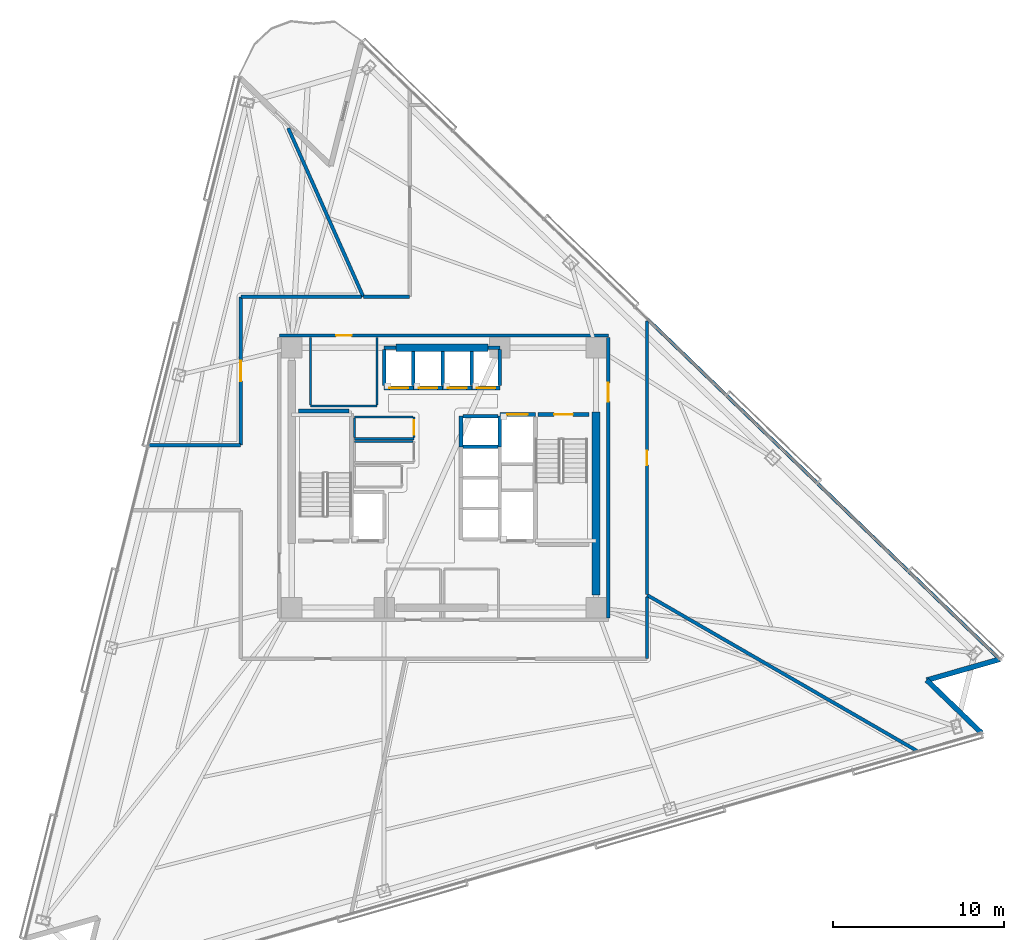
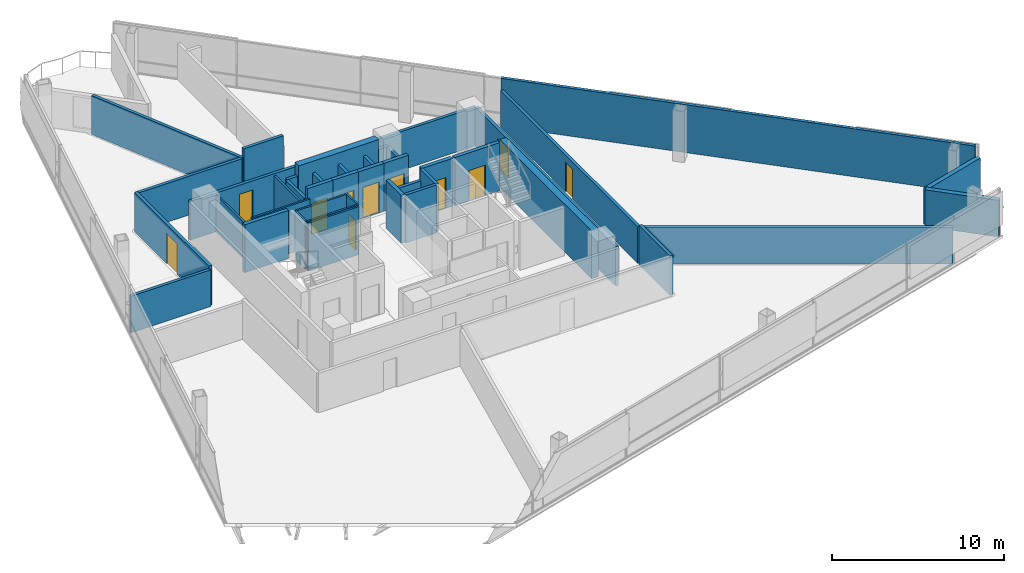
# One storey, part 10 of 16: 41 walls, 11 doors, 11 openings.
"""IFC4 building model written with IfcOpenShell, lengths in metres."""

from ifc_helpers import new_model, si_unit, direction, frame, frame_2d, origin, place, context, subcontext, project, spatial, rectangle, extrude, material, layer, layer_set, type_object, element, fill, save


model = new_model("IFC4")

# Units and contexts
model_context = context("Model", 3, precision=1e-05, world=origin(), true_north=direction((0.0, 1.0)))
body_context = subcontext(model_context, "Body", "Model", "MODEL_VIEW")
ifc_project = project(units=[si_unit("LENGTHUNIT", "METRE"), si_unit("AREAUNIT", "SQUARE_METRE"), si_unit("VOLUMEUNIT", "CUBIC_METRE"), si_unit("PLANEANGLEUNIT", "RADIAN"), si_unit("MASSUNIT", "GRAM", prefix="KILO")], contexts=[model_context])

# Site, building, storey
site_placement = place(None, origin())
site = spatial("IfcSite", under=ifc_project, at=site_placement, CompositionType="ELEMENT")
building_placement = place(site_placement, origin())
building = spatial("IfcBuilding", under=site, at=building_placement, Name="Tharavind Bronze Gate", CompositionType="ELEMENT")
storey_placement = place(building_placement, frame((0.0, 0.0, 104.10009765625)))
storey = spatial("IfcBuildingStorey", under=building, at=storey_placement, Name="L26", CompositionType="ELEMENT", Elevation=104.10009765625)

# Walls
ifc_material_1 = material(Name="Concrete C40/50", Category="concrete")
ifc_layer_1 = layer(ifc_material_1, 0.300048828125)
ifc_layer_set_1 = layer_set([ifc_layer_1], Name="Concrete C40/50")
wall_type_1 = type_object("IfcWallType", Name="EXTERIOR SPANDREL WALL 300", PredefinedType="STANDARD", material=ifc_layer_set_1)
wall_1_placement = place(storey_placement, frame((31.438720703125, -14.926513671875, 0.0), z_axis=(0.0, 0.0, 1.0), x_axis=(-0.719317126864, 0.694681848763, 0.0)))
element("IfcWall", 1, at=wall_1_placement, inside=storey, type_object=wall_type_1, Name="L26 notch cheek wall 3A", PredefinedType="STANDARD", context=body_context, shape_type="SweptSolid", body=[
    extrude(rectangle(XDim=4.439697265625, YDim=0.300048828125, at=frame_2d((2.2197265625, 0.0))), origin(), (0.0, 0.0, 1.0), 2.60498046875),
])
wall_2_placement = place(storey_placement, frame((28.2451171875, -11.84228515625, 0.0), z_axis=(0.0, 0.0, 1.0), x_axis=(0.961255810825, 0.275657878821, 0.0)))
element("IfcWall", 2, at=wall_2_placement, inside=storey, type_object=wall_type_1, Name="L26 notch cheek wall 3B", PredefinedType="STANDARD", context=body_context, shape_type="SweptSolid", body=[
    extrude(rectangle(XDim=4.43994140625, YDim=0.300048828125, at=frame_2d((2.219970703125, 0.0))), origin(), (0.0, 0.0, 1.0), 2.60498046875),
])

# Wall, opening, door
ifc_material_2 = material(Name="Aerated Concrete Block", Category="concrete")
ifc_layer_2 = layer(ifc_material_2, 0.199951171875)
ifc_layer_set_2 = layer_set([ifc_layer_2], Name="Aerated Concrete Block")
wall_type_2 = type_object("IfcWallType", Name="FIRE RATED PARTITION 200", PredefinedType="PARTITIONING", material=ifc_layer_set_2)
wall_3_placement = place(storey_placement, frame((9.6201171875, 8.320068359375, 0.0), z_axis=(0.0, 0.0, 1.0), x_axis=(-1.0, 0.0, 0.0)))
wall_3 = element("IfcWall", 3, at=wall_3_placement, inside=storey, type_object=wall_type_2, Name="L26 north core corridor wall", PredefinedType="PARTITIONING", context=body_context, shape_type="SweptSolid", body=[
    extrude(rectangle(XDim=19.240234375, YDim=0.199951171875, at=frame_2d((9.6201171875, 0.0))), origin(), (0.0, 0.0, 1.0), 2.7548828125),
])
opening_1_placement = place(wall_3_placement, frame((15.02001953125, 0.0, 0.0)))
opening_1 = element("IfcOpeningElement", 4, at=opening_1_placement, cuts=wall_3, Name="Opening ID07", PredefinedType="OPENING", context=body_context, shape_type="SweptSolid", body=[
    extrude(rectangle(XDim=0.89990234375, YDim=2.10009765625, at=frame_2d((0.449951171875, 1.050048828125))), frame((0.0, 0.11009765625, 0.0), z_axis=(0.0, -1.0, 0.0), x_axis=(1.0, 0.0, 0.0)), (0.0, 0.0, 1.0), 0.219951171875),
])
ifc_material_3 = material(Name="Galvanised Fire Steel", Category="steel")
door_type_1 = type_object("IfcDoorType", Name="PLANT AND RISER FIRE DOOR 900X2100", OperationType="SINGLE_SWING_LEFT", PredefinedType="DOOR", material=ifc_material_3)
door_1_placement = place(opening_1_placement, frame((0.89990234375, 0.0, 0.0), z_axis=(0.0, 0.0, 1.0), x_axis=(-1.0, 0.0, 0.0)))
door_1 = element("IfcDoor", 5, at=door_1_placement, inside=storey, type_object=door_type_1, Name="L26 Electrical Switch Room fire door", OperationType="SINGLE_SWING_LEFT", OverallHeight=2.10009765625, OverallWidth=0.89990234375, PredefinedType="DOOR", context=body_context, shape_type="SweptSolid", body=[
    extrude(rectangle(XDim=0.89990234375, YDim=2.10009765625, at=frame_2d((0.449951171875, 1.050048828125))), frame((0.0, 0.02490234375, 0.0), z_axis=(0.0, -1.0, 0.0), x_axis=(1.0, 0.0, 0.0)), (0.0, 0.0, 1.0), 0.050048828125),
])
fill(opening_1, door_1)

wall_4_placement = place(storey_placement, frame((9.6201171875, -8.199951171875, 0.0), z_axis=(0.0, 0.0, 1.0), x_axis=(0.0, 1.0, 0.0)))
wall_4 = element("IfcWall", 6, at=wall_4_placement, inside=storey, type_object=wall_type_2, Name="L26 east core corridor wall", PredefinedType="PARTITIONING", context=body_context, shape_type="SweptSolid", body=[
    extrude(rectangle(XDim=16.39990234375, YDim=0.199951171875, at=frame_2d((8.199951171875, 0.0))), origin(), (0.0, 0.0, 1.0), 2.804931640625),
])
opening_2_placement = place(wall_4_placement, frame((12.64990234375, 0.0, 0.0)))
opening_2 = element("IfcOpeningElement", 7, at=opening_2_placement, cuts=wall_4, Name="Opening ID01", PredefinedType="OPENING", context=body_context, shape_type="SweptSolid", body=[
    extrude(rectangle(XDim=1.10009765625, YDim=2.14990234375, at=frame_2d((0.550048828125, 1.074951171875))), frame((0.0, 0.11009765625, 0.0), z_axis=(0.0, -1.0, 0.0), x_axis=(1.0, 0.0, 0.0)), (0.0, 0.0, 1.0), 0.219951171875),
])
ifc_material_4 = material(Name="Fire-Rated Steel", Category="steel")
door_type_2 = type_object("IfcDoorType", Name="STAIR CORE FIRE DOOR 1100X2150", OperationType="SINGLE_SWING_LEFT", PredefinedType="DOOR", material=ifc_material_4)
door_2_placement = place(opening_2_placement, frame((1.10009765625, 0.0, 0.0), z_axis=(0.0, 0.0, 1.0), x_axis=(-1.0, 0.0, 0.0)))
door_2 = element("IfcDoor", 8, at=door_2_placement, inside=storey, type_object=door_type_2, Name="L26 north east stair lobby fire door", OperationType="SINGLE_SWING_LEFT", OverallHeight=2.14990234375, OverallWidth=1.10009765625, PredefinedType="DOOR", context=body_context, shape_type="SweptSolid", body=[
    extrude(rectangle(XDim=1.10009765625, YDim=2.14990234375, at=frame_2d((0.550048828125, 1.074951171875))), frame((0.0, 0.02490234375, 0.0), z_axis=(0.0, -1.0, 0.0), x_axis=(1.0, 0.0, 0.0)), (0.0, 0.0, 1.0), 0.050048828125),
])
fill(opening_2, door_2)

# Walls
wall_5_placement = place(storey_placement, frame((11.92236328125, 9.265625, 0.0), z_axis=(0.0, 0.0, 1.0), x_axis=(0.719341119542, -0.694657004382, 0.0)))
element("IfcWall", 9, at=wall_5_placement, inside=storey, type_object=wall_type_2, Name="L26 Public Restrooms Block partition", PredefinedType="PARTITIONING", context=body_context, shape_type="SweptSolid", body=[
    extrude(rectangle(XDim=28.4453125, YDim=0.199951171875, at=frame_2d((14.22265625, 0.0))), origin(), (0.0, 0.0, 1.0), 3.409912109375),
])
wall_6_placement = place(storey_placement, frame((27.69775390625, -15.9912109375, 0.0), z_axis=(0.0, 0.0, 1.0), x_axis=(-0.866028310072, 0.499994966129, 0.0)))
element("IfcWall", 10, at=wall_6_placement, inside=storey, type_object=wall_type_2, Name="L26 Public Restrooms Block partition", PredefinedType="PARTITIONING", context=body_context, shape_type="SweptSolid", body=[
    extrude(rectangle(XDim=18.250244140625, YDim=0.199951171875, at=frame_2d((9.125, 0.0))), origin(), (0.0, 0.0, 1.0), 2.60498046875),
])

# Wall, opening, door
wall_7_placement = place(storey_placement, frame((11.8798828125, -6.844482421875, 0.0), z_axis=(0.0, 0.0, 1.0), x_axis=(0.0, 1.0, 0.0)))
wall_7 = element("IfcWall", 11, at=wall_7_placement, inside=storey, type_object=wall_type_2, Name="L26 Public Restrooms Block partition", PredefinedType="PARTITIONING", context=body_context, shape_type="SweptSolid", body=[
    extrude(rectangle(XDim=16.005126953125, YDim=0.199951171875, at=frame_2d((8.00244140625, 0.0))), origin(), (0.0, 0.0, 1.0), 2.60498046875),
])
opening_3_placement = place(wall_7_placement, frame((7.577880859375, 0.0, 0.0)))
opening_3 = element("IfcOpeningElement", 12, at=opening_3_placement, cuts=wall_7, Name="Opening ID06", PredefinedType="OPENING", context=body_context, shape_type="SweptSolid", body=[
    extrude(rectangle(XDim=0.85009765625, YDim=2.10009765625, at=frame_2d((0.425048828125, 1.050048828125))), frame((0.0, 0.11009765625, 0.0), z_axis=(0.0, -1.0, 0.0), x_axis=(1.0, 0.0, 0.0)), (0.0, 0.0, 1.0), 0.219951171875),
])
ifc_material_5 = material(Name="Moisture-Resistant Timber", Category="wood")
door_type_3 = type_object("IfcDoorType", Name="BATHROOM PRIVACY DOOR 850X2100", OperationType="SINGLE_SWING_RIGHT", PredefinedType="DOOR", material=ifc_material_5)
door_3_placement = place(opening_3_placement, origin())
door_3 = element("IfcDoor", 13, at=door_3_placement, inside=storey, type_object=door_type_3, Name="L26 Public Restrooms Block door", OperationType="SINGLE_SWING_RIGHT", OverallHeight=2.10009765625, OverallWidth=0.85009765625, PredefinedType="DOOR", context=body_context, shape_type="SweptSolid", body=[
    extrude(rectangle(XDim=0.85009765625, YDim=2.10009765625, at=frame_2d((0.425048828125, 1.050048828125))), frame((0.0, 0.02490234375, 0.0), z_axis=(0.0, -1.0, 0.0), x_axis=(1.0, 0.0, 0.0)), (0.0, 0.0, 1.0), 0.050048828125),
])
fill(opening_3, door_3)

# Walls
wall_8_placement = place(storey_placement, frame((-2.02490234375, 10.580078125, 0.0), z_axis=(0.0, 0.0, 1.0), x_axis=(-1.0, 0.0, 0.0)))
element("IfcWall", 14, at=wall_8_placement, inside=storey, type_object=wall_type_2, Name="L26 Private Wealth Salon partition", PredefinedType="PARTITIONING", context=body_context, shape_type="SweptSolid", body=[
    extrude(rectangle(XDim=2.66943359375, YDim=0.199951171875, at=frame_2d((1.334716796875, 0.0))), origin(), (0.0, 0.0, 1.0), 3.409912109375),
])
wall_9_placement = place(storey_placement, frame((-4.717041015625, 10.5947265625, 0.0), z_axis=(0.0, 0.0, 1.0), x_axis=(-0.406751825839, 0.91353869769, 0.0)))
element("IfcWall", 15, at=wall_9_placement, inside=storey, type_object=wall_type_2, Name="L26 Private Wealth Salon partition", PredefinedType="PARTITIONING", context=body_context, shape_type="SweptSolid", body=[
    extrude(rectangle(XDim=10.782470703125, YDim=0.199951171875, at=frame_2d((5.39111328125, 0.0))), origin(), (0.0, 0.0, 1.0), 2.7548828125),
])
wall_10_placement = place(storey_placement, frame((-4.825439453125, 10.580078125, 0.0), z_axis=(0.0, 0.0, 1.0), x_axis=(-1.0, 0.0, 0.0)))
element("IfcWall", 16, at=wall_10_placement, inside=storey, type_object=wall_type_2, Name="L26 Client Dining Room partition", PredefinedType="PARTITIONING", context=body_context, shape_type="SweptSolid", body=[
    extrude(rectangle(XDim=7.053955078125, YDim=0.199951171875, at=frame_2d((3.52685546875, 0.0))), origin(), (0.0, 0.0, 1.0), 2.7548828125),
])

# Wall, opening, door
wall_11_placement = place(storey_placement, frame((-11.8798828125, 10.579345703125, 0.0), z_axis=(0.0, 0.0, 1.0), x_axis=(0.0, -1.0, 0.0)))
wall_11 = element("IfcWall", 17, at=wall_11_placement, inside=storey, type_object=wall_type_2, Name="L26 Client Dining Room partition", PredefinedType="PARTITIONING", context=body_context, shape_type="SweptSolid", body=[
    extrude(rectangle(XDim=8.654296875, YDim=0.199951171875, at=frame_2d((4.3271484375, 0.0))), origin(), (0.0, 0.0, 1.0), 2.804931640625),
])
opening_4_placement = place(wall_11_placement, frame((3.72705078125, 0.0, 0.0)))
opening_4 = element("IfcOpeningElement", 18, at=opening_4_placement, cuts=wall_11, Name="Opening ID05", PredefinedType="OPENING", context=body_context, shape_type="SweptSolid", body=[
    extrude(rectangle(XDim=1.199951171875, YDim=2.14990234375, at=frame_2d((0.60009765625, 1.074951171875))), frame((0.0, 0.11009765625, 0.0), z_axis=(0.0, -1.0, 0.0), x_axis=(1.0, 0.0, 0.0)), (0.0, 0.0, 1.0), 0.219951171875),
])
ifc_material_6 = material(Name="Acoustic Laminated Glass", Category="glass")
door_type_4 = type_object("IfcDoorType", Name="MEETING ROOM GLAZED DOOR 1200X2150", OperationType="SINGLE_SWING_LEFT", PredefinedType="DOOR", material=ifc_material_6)
door_4_placement = place(opening_4_placement, origin())
door_4 = element("IfcDoor", 19, at=door_4_placement, inside=storey, type_object=door_type_4, Name="L26 Client Dining Room door", OperationType="SINGLE_SWING_LEFT", OverallHeight=2.14990234375, OverallWidth=1.199951171875, PredefinedType="DOOR", context=body_context, shape_type="SweptSolid", body=[
    extrude(rectangle(XDim=1.199951171875, YDim=2.14990234375, at=frame_2d((0.60009765625, 1.074951171875))), frame((0.0, 0.02490234375, 0.0), z_axis=(0.0, -1.0, 0.0), x_axis=(1.0, 0.0, 0.0)), (0.0, 0.0, 1.0), 0.050048828125),
])
fill(opening_4, door_4)

# Walls
wall_12_placement = place(storey_placement, frame((-11.905029296875, 1.89990234375, 0.0), z_axis=(0.0, 0.0, 1.0), x_axis=(-1.0, 0.0, 0.0)))
element("IfcWall", 20, at=wall_12_placement, inside=storey, type_object=wall_type_2, Name="L26 Client Dining Room partition", PredefinedType="PARTITIONING", context=body_context, shape_type="SweptSolid", body=[
    extrude(rectangle(XDim=5.3876953125, YDim=0.199951171875, at=frame_2d((2.69384765625, 0.0))), origin(), (0.0, 0.0, 1.0), 2.60498046875),
])
wall_13_placement = place(storey_placement, frame((11.8798828125, -10.579345703125, 0.0), z_axis=(0.0, 0.0, 1.0), x_axis=(0.0, 1.0, 0.0)))
element("IfcWall", 21, at=wall_13_placement, inside=storey, type_object=wall_type_2, Name="L26 Family Advisory Office partition", PredefinedType="PARTITIONING", context=body_context, shape_type="SweptSolid", body=[
    extrude(rectangle(XDim=3.599365234375, YDim=0.199951171875, at=frame_2d((1.7998046875, 0.0))), origin(), (0.0, 0.0, 1.0), 2.804931640625),
])
ifc_material_7 = material(Name="Metal Stud Gypsum Partition", Category="gypsum")
ifc_layer_3 = layer(ifc_material_7, 0.1201171875)
ifc_layer_set_3 = layer_set([ifc_layer_3], Name="Metal Stud Gypsum Partition")
wall_type_3 = type_object("IfcWallType", Name="INTERIOR PARTITION WALL 120", PredefinedType="PARTITIONING", material=ifc_layer_set_3)
wall_14_placement = place(storey_placement, frame((-5.219970703125, 2.280029296875, 0.0), z_axis=(0.0, 0.0, 1.0), x_axis=(1.0, 0.0, 0.0)))
element("IfcWall", 22, at=wall_14_placement, inside=storey, type_object=wall_type_3, Name="L26 Housekeeping Linen Store partition 1", PredefinedType="PARTITIONING", context=body_context, shape_type="SweptSolid", body=[
    extrude(rectangle(XDim=3.469970703125, YDim=0.1201171875, at=frame_2d((1.73486328125, 0.0))), origin(), (0.0, 0.0, 1.0), 3.409912109375),
])

# Wall, opening, door
wall_15_placement = place(storey_placement, frame((-1.75, 2.344970703125, 0.0), z_axis=(0.0, 0.0, 1.0), x_axis=(0.0, 1.0, 0.0)))
wall_15 = element("IfcWall", 23, at=wall_15_placement, inside=storey, type_object=wall_type_3, Name="L26 Housekeeping Linen Store partition 2", PredefinedType="PARTITIONING", context=body_context, shape_type="SweptSolid", body=[
    extrude(rectangle(XDim=1.205078125, YDim=0.1201171875, at=frame_2d((0.6025390625, 0.0))), origin(), (0.0, 0.0, 1.0), 3.409912109375),
])
opening_5_placement = place(wall_15_placement, frame((0.177001953125, 0.0, 0.0)))
opening_5 = element("IfcOpeningElement", 24, at=opening_5_placement, cuts=wall_15, Name="Opening ID06", PredefinedType="OPENING", context=body_context, shape_type="SweptSolid", body=[
    extrude(rectangle(XDim=0.85009765625, YDim=2.10009765625, at=frame_2d((0.425048828125, 1.050048828125))), frame((0.0, 0.07005859375, 0.0), z_axis=(0.0, -1.0, 0.0), x_axis=(1.0, 0.0, 0.0)), (0.0, 0.0, 1.0), 0.1401171875),
])
door_5_placement = place(opening_5_placement, frame((0.85009765625, 0.0, 0.0), z_axis=(0.0, 0.0, 1.0), x_axis=(-1.0, 0.0, 0.0)))
door_5 = element("IfcDoor", 25, at=door_5_placement, inside=storey, type_object=door_type_3, Name="L26 Housekeeping Linen Store door", OperationType="SINGLE_SWING_RIGHT", OverallHeight=2.10009765625, OverallWidth=0.85009765625, PredefinedType="DOOR", context=body_context, shape_type="SweptSolid", body=[
    extrude(rectangle(XDim=0.85009765625, YDim=2.10009765625, at=frame_2d((0.425048828125, 1.050048828125))), frame((0.0, 0.02490234375, 0.0), z_axis=(0.0, -1.0, 0.0), x_axis=(1.0, 0.0, 0.0)), (0.0, 0.0, 1.0), 0.050048828125),
])
fill(opening_5, door_5)

# Walls
wall_16_placement = place(storey_placement, frame((-1.81494140625, 3.550048828125, 0.0), z_axis=(0.0, 0.0, 1.0), x_axis=(-1.0, 0.0, 0.0)))
element("IfcWall", 26, at=wall_16_placement, inside=storey, type_object=wall_type_3, Name="L26 Housekeeping Linen Store partition 3", PredefinedType="PARTITIONING", context=body_context, shape_type="SweptSolid", body=[
    extrude(rectangle(XDim=3.405029296875, YDim=0.1201171875, at=frame_2d((1.70263671875, 0.0))), origin(), (0.0, 0.0, 1.0), 3.409912109375),
])
wall_17_placement = place(storey_placement, frame((-5.219970703125, 3.485107421875, 0.0), z_axis=(0.0, 0.0, 1.0), x_axis=(0.0, -1.0, 0.0)))
element("IfcWall", 27, at=wall_17_placement, inside=storey, type_object=wall_type_3, Name="L26 Housekeeping Linen Store partition 4", PredefinedType="PARTITIONING", context=body_context, shape_type="SweptSolid", body=[
    extrude(rectangle(XDim=1.14013671875, YDim=0.1201171875, at=frame_2d((0.570068359375, 0.0))), origin(), (0.0, 0.0, 1.0), 3.409912109375),
])
wall_18_placement = place(storey_placement, frame((-1.81494140625, 2.1201171875, 0.0), z_axis=(0.0, 0.0, 1.0), x_axis=(-1.0, 0.0, 0.0)))
element("IfcWall", 28, at=wall_18_placement, inside=storey, type_object=wall_type_3, Name="L26 Comms Data Room partition 3", PredefinedType="PARTITIONING", context=body_context, shape_type="SweptSolid", body=[
    extrude(rectangle(XDim=3.405029296875, YDim=0.1201171875, at=frame_2d((1.70263671875, 0.0))), origin(), (0.0, 0.0, 1.0), 3.409912109375),
])
wall_19_placement = place(storey_placement, frame((-7.800048828125, 4.199951171875, 0.0), z_axis=(0.0, 0.0, 1.0), x_axis=(1.0, 0.0, 0.0)))
element("IfcWall", 29, at=wall_19_placement, inside=storey, type_object=wall_type_3, Name="L26 Electrical Switch Room partition 1", PredefinedType="PARTITIONING", context=body_context, shape_type="SweptSolid", body=[
    extrude(rectangle(XDim=3.900146484375, YDim=0.1201171875, at=frame_2d((1.9501953125, 0.0))), origin(), (0.0, 0.0, 1.0), 3.409912109375),
])
for number, where, z_axis, x_axis, name in (
    (30, (-3.89990234375, 4.264892578125, 0.0), (0.0, 0.0, 1.0), (0.0, 1.0, 0.0), "L26 Electrical Switch Room partition 2"),
    (31, (-7.800048828125, 8.215087890625, 0.0), (0.0, 0.0, 1.0), (0.0, -1.0, 0.0), "L26 Electrical Switch Room partition 4"),
):
    element("IfcWall", number, at=place(storey_placement, frame(where, z_axis=z_axis, x_axis=x_axis)), inside=storey, type_object=wall_type_3, Name=name, PredefinedType="PARTITIONING", context=body_context, shape_type="SweptSolid", body=[
        extrude(rectangle(XDim=3.9501953125, YDim=0.1201171875, at=frame_2d((1.97509765625, 0.0))), origin(), (0.0, 0.0, 1.0), 2.60498046875),
    ])
ifc_material_8 = material(Name="Concrete C50/60", Category="concrete")
ifc_layer_4 = layer(ifc_material_8, 0.25)
ifc_layer_set_4 = layer_set([ifc_layer_4], Name="Concrete C50/60")
wall_type_4 = type_object("IfcWallType", Name="RC CORE SHEAR WALL 250", PredefinedType="SHEAR", material=ifc_layer_set_4)
wall_20_placement = place(storey_placement, frame((-8.5, 3.89990234375, 0.0), z_axis=(0.0, 0.0, 1.0), x_axis=(1.0, 0.0, 0.0)))
element("IfcWall", 32, at=wall_20_placement, inside=storey, type_object=wall_type_4, Name="L26 ST1 shaft north wall", PredefinedType="SHEAR", context=body_context, shape_type="SweptSolid", body=[
    extrude(rectangle(XDim=2.949951171875, YDim=0.25, at=frame_2d((1.47509765625, 0.0))), origin(), (0.0, 0.0, 1.0), 3.409912109375),
])

# Wall, opening, door
wall_21_placement = place(storey_placement, frame((5.5, 3.699951171875, 0.0), z_axis=(0.0, 0.0, 1.0), x_axis=(1.0, 0.0, 0.0)))
wall_21 = element("IfcWall", 33, at=wall_21_placement, inside=storey, type_object=wall_type_4, Name="L26 ST2 shaft north wall", PredefinedType="SHEAR", context=body_context, shape_type="SweptSolid", body=[
    extrude(rectangle(XDim=3.0, YDim=0.25, at=frame_2d((1.5, 0.0))), origin(), (0.0, 0.0, 1.0), 3.409912109375),
])
opening_6_placement = place(wall_21_placement, frame((0.949951171875, 0.0, 0.0)))
opening_6 = element("IfcOpeningElement", 34, at=opening_6_placement, cuts=wall_21, Name="Opening ID01", PredefinedType="OPENING", context=body_context, shape_type="SweptSolid", body=[
    extrude(rectangle(XDim=1.10009765625, YDim=2.14990234375, at=frame_2d((0.550048828125, 1.074951171875))), frame((0.0, 0.135, 0.0), z_axis=(0.0, -1.0, 0.0), x_axis=(1.0, 0.0, 0.0)), (0.0, 0.0, 1.0), 0.27),
])
door_6_placement = place(opening_6_placement, frame((1.10009765625, 0.0, 0.0), z_axis=(0.0, 0.0, 1.0), x_axis=(-1.0, 0.0, 0.0)))
door_6 = element("IfcDoor", 35, at=door_6_placement, inside=storey, type_object=door_type_2, Name="L26 exit stair ST2 fire door", OperationType="SINGLE_SWING_LEFT", OverallHeight=2.14990234375, OverallWidth=1.10009765625, PredefinedType="DOOR", context=body_context, shape_type="SweptSolid", body=[
    extrude(rectangle(XDim=1.10009765625, YDim=2.14990234375, at=frame_2d((0.550048828125, 1.074951171875))), frame((0.0, 0.02490234375, 0.0), z_axis=(0.0, -1.0, 0.0), x_axis=(1.0, 0.0, 0.0)), (0.0, 0.0, 1.0), 0.050048828125),
])
fill(opening_6, door_6)

wall_22_placement = place(storey_placement, frame((-3.5, 5.25, 0.0), z_axis=(0.0, 0.0, 1.0), x_axis=(1.0, 0.0, 0.0)))
wall_22 = element("IfcWall", 36, at=wall_22_placement, inside=storey, type_object=wall_type_4, Name="L26 lift PL5 shaft front wall", PredefinedType="SHEAR", context=body_context, shape_type="SweptSolid", body=[
    extrude(rectangle(XDim=1.71240234375, YDim=0.25, at=frame_2d((0.856201171875, 0.0))), origin(), (0.0, 0.0, 1.0), 3.409912109375),
])
opening_7_placement = place(wall_22_placement, frame((0.305908203125, 0.0, 0.0)))
opening_7 = element("IfcOpeningElement", 37, at=opening_7_placement, cuts=wall_22, Name="Opening LD01", PredefinedType="OPENING", context=body_context, shape_type="SweptSolid", body=[
    extrude(rectangle(XDim=1.10009765625, YDim=2.199951171875, at=frame_2d((0.550048828125, 1.10009765625))), frame((0.0, 0.135, 0.0), z_axis=(0.0, -1.0, 0.0), x_axis=(1.0, 0.0, 0.0)), (0.0, 0.0, 1.0), 0.27),
])
ifc_material_9 = material(Name="Brushed Bronze Stainless Steel", Category="steel")
door_type_5 = type_object("IfcDoorType", Name="LIFT LANDING SLIDING DOOR 1100X2200", OperationType="SLIDING_TO_LEFT", PredefinedType="DOOR", material=ifc_material_9)
door_7_placement = place(opening_7_placement, origin())
door_7 = element("IfcDoor", 38, at=door_7_placement, inside=storey, type_object=door_type_5, Name="L26 lift PL5 sliding landing door", OperationType="SLIDING_TO_LEFT", OverallHeight=2.199951171875, OverallWidth=1.10009765625, PredefinedType="DOOR", context=body_context, shape_type="SweptSolid", body=[
    extrude(rectangle(XDim=1.10009765625, YDim=2.199951171875, at=frame_2d((0.550048828125, 1.10009765625))), frame((0.0, 0.02490234375, 0.0), z_axis=(0.0, -1.0, 0.0), x_axis=(1.0, 0.0, 0.0)), (0.0, 0.0, 1.0), 0.050048828125),
])
fill(opening_7, door_7)

wall_23_placement = place(storey_placement, frame((-1.78759765625, 5.25, 0.0), z_axis=(0.0, 0.0, 1.0), x_axis=(1.0, 0.0, 0.0)))
wall_23 = element("IfcWall", 39, at=wall_23_placement, inside=storey, type_object=wall_type_4, Name="L26 lift PL6 shaft front wall", PredefinedType="SHEAR", context=body_context, shape_type="SweptSolid", body=[
    extrude(rectangle(XDim=1.712646484375, YDim=0.25, at=frame_2d((0.8564453125, 0.0))), origin(), (0.0, 0.0, 1.0), 3.409912109375),
])
opening_8_placement = place(wall_23_placement, frame((0.305908203125, 0.0, 0.0)))
opening_8 = element("IfcOpeningElement", 40, at=opening_8_placement, cuts=wall_23, Name="Opening LD01", PredefinedType="OPENING", context=body_context, shape_type="SweptSolid", body=[
    extrude(rectangle(XDim=1.10009765625, YDim=2.199951171875, at=frame_2d((0.550048828125, 1.10009765625))), frame((0.0, 0.135, 0.0), z_axis=(0.0, -1.0, 0.0), x_axis=(1.0, 0.0, 0.0)), (0.0, 0.0, 1.0), 0.27),
])
door_8_placement = place(opening_8_placement, origin())
door_8 = element("IfcDoor", 41, at=door_8_placement, inside=storey, type_object=door_type_5, Name="L26 lift PL6 sliding landing door", OperationType="SLIDING_TO_LEFT", OverallHeight=2.199951171875, OverallWidth=1.10009765625, PredefinedType="DOOR", context=body_context, shape_type="SweptSolid", body=[
    extrude(rectangle(XDim=1.10009765625, YDim=2.199951171875, at=frame_2d((0.550048828125, 1.10009765625))), frame((0.0, 0.02490234375, 0.0), z_axis=(0.0, -1.0, 0.0), x_axis=(1.0, 0.0, 0.0)), (0.0, 0.0, 1.0), 0.050048828125),
])
fill(opening_8, door_8)

wall_24_placement = place(storey_placement, frame((-0.074951171875, 5.25, 0.0), z_axis=(0.0, 0.0, 1.0), x_axis=(1.0, 0.0, 0.0)))
wall_24 = element("IfcWall", 42, at=wall_24_placement, inside=storey, type_object=wall_type_4, Name="L26 lift PL7 shaft front wall", PredefinedType="SHEAR", context=body_context, shape_type="SweptSolid", body=[
    extrude(rectangle(XDim=1.71240234375, YDim=0.25, at=frame_2d((0.856201171875, 0.0))), origin(), (0.0, 0.0, 1.0), 3.409912109375),
])
opening_9_placement = place(wall_24_placement, frame((0.305908203125, 0.0, 0.0)))
opening_9 = element("IfcOpeningElement", 43, at=opening_9_placement, cuts=wall_24, Name="Opening LD01", PredefinedType="OPENING", context=body_context, shape_type="SweptSolid", body=[
    extrude(rectangle(XDim=1.10009765625, YDim=2.199951171875, at=frame_2d((0.550048828125, 1.10009765625))), frame((0.0, 0.135, 0.0), z_axis=(0.0, -1.0, 0.0), x_axis=(1.0, 0.0, 0.0)), (0.0, 0.0, 1.0), 0.27),
])
door_9_placement = place(opening_9_placement, origin())
door_9 = element("IfcDoor", 44, at=door_9_placement, inside=storey, type_object=door_type_5, Name="L26 lift PL7 sliding landing door", OperationType="SLIDING_TO_LEFT", OverallHeight=2.199951171875, OverallWidth=1.10009765625, PredefinedType="DOOR", context=body_context, shape_type="SweptSolid", body=[
    extrude(rectangle(XDim=1.10009765625, YDim=2.199951171875, at=frame_2d((0.550048828125, 1.10009765625))), frame((0.0, 0.02490234375, 0.0), z_axis=(0.0, -1.0, 0.0), x_axis=(1.0, 0.0, 0.0)), (0.0, 0.0, 1.0), 0.050048828125),
])
fill(opening_9, door_9)

wall_25_placement = place(storey_placement, frame((1.637451171875, 5.25, 0.0), z_axis=(0.0, 0.0, 1.0), x_axis=(1.0, 0.0, 0.0)))
wall_25 = element("IfcWall", 45, at=wall_25_placement, inside=storey, type_object=wall_type_4, Name="L26 lift PL8 shaft front wall", PredefinedType="SHEAR", context=body_context, shape_type="SweptSolid", body=[
    extrude(rectangle(XDim=1.642578125, YDim=0.25, at=frame_2d((0.8212890625, 0.0))), origin(), (0.0, 0.0, 1.0), 3.409912109375),
])
opening_10_placement = place(wall_25_placement, frame((0.27099609375, 0.0, 0.0)))
opening_10 = element("IfcOpeningElement", 46, at=opening_10_placement, cuts=wall_25, Name="Opening LD01", PredefinedType="OPENING", context=body_context, shape_type="SweptSolid", body=[
    extrude(rectangle(XDim=1.10009765625, YDim=2.199951171875, at=frame_2d((0.550048828125, 1.10009765625))), frame((0.0, 0.135, 0.0), z_axis=(0.0, -1.0, 0.0), x_axis=(1.0, 0.0, 0.0)), (0.0, 0.0, 1.0), 0.27),
])
door_10_placement = place(opening_10_placement, origin())
door_10 = element("IfcDoor", 47, at=door_10_placement, inside=storey, type_object=door_type_5, Name="L26 lift PL8 sliding landing door", OperationType="SLIDING_TO_LEFT", OverallHeight=2.199951171875, OverallWidth=1.10009765625, PredefinedType="DOOR", context=body_context, shape_type="SweptSolid", body=[
    extrude(rectangle(XDim=1.10009765625, YDim=2.199951171875, at=frame_2d((0.550048828125, 1.10009765625))), frame((0.0, 0.02490234375, 0.0), z_axis=(0.0, -1.0, 0.0), x_axis=(1.0, 0.0, 0.0)), (0.0, 0.0, 1.0), 0.050048828125),
])
fill(opening_10, door_10)

# Wall
wall_26_placement = place(storey_placement, frame((1.0, 1.800048828125, 0.0), z_axis=(0.0, 0.0, 1.0), x_axis=(0.0, 1.0, 0.0)))
element("IfcWall", 48, at=wall_26_placement, inside=storey, type_object=wall_type_4, Name="L26 lift PL12 shaft front wall", PredefinedType="SHEAR", context=body_context, shape_type="SweptSolid", body=[
    extrude(rectangle(XDim=1.800048828125, YDim=0.25, at=frame_2d((0.89990234375, 0.0))), origin(), (0.0, 0.0, 1.0), 3.409912109375),
])

# Wall, opening, door
wall_27_placement = place(storey_placement, frame((3.280029296875, 3.699951171875, 0.0), z_axis=(0.0, 0.0, 1.0), x_axis=(1.0, 0.0, 0.0)))
wall_27 = element("IfcWall", 49, at=wall_27_placement, inside=storey, type_object=wall_type_4, Name="L26 lift FFL2 shaft front wall", PredefinedType="SHEAR", context=body_context, shape_type="SweptSolid", body=[
    extrude(rectangle(XDim=2.070068359375, YDim=0.25, at=frame_2d((1.03515625, 0.0))), origin(), (0.0, 0.0, 1.0), 3.409912109375),
])
opening_11_placement = place(wall_27_placement, frame((0.43505859375, 0.0, 0.0)))
opening_11 = element("IfcOpeningElement", 50, at=opening_11_placement, cuts=wall_27, Name="Opening LD02", PredefinedType="OPENING", context=body_context, shape_type="SweptSolid", body=[
    extrude(rectangle(XDim=1.199951171875, YDim=2.199951171875, at=frame_2d((0.60009765625, 1.10009765625))), frame((0.0, 0.135, 0.0), z_axis=(0.0, -1.0, 0.0), x_axis=(1.0, 0.0, 0.0)), (0.0, 0.0, 1.0), 0.27),
])
ifc_material_10 = material(Name="Brushed Stainless Steel", Category="steel")
door_type_6 = type_object("IfcDoorType", Name="FIREFIGHTING LIFT LANDING DOOR 1200X2200", OperationType="SLIDING_TO_RIGHT", PredefinedType="DOOR", material=ifc_material_10)
door_11_placement = place(opening_11_placement, origin())
door_11 = element("IfcDoor", 51, at=door_11_placement, inside=storey, type_object=door_type_6, Name="L26 lift FFL2 sliding landing door", OperationType="SLIDING_TO_RIGHT", OverallHeight=2.199951171875, OverallWidth=1.199951171875, PredefinedType="DOOR", context=body_context, shape_type="SweptSolid", body=[
    extrude(rectangle(XDim=1.199951171875, YDim=2.199951171875, at=frame_2d((0.60009765625, 1.10009765625))), frame((0.0, 0.02490234375, 0.0), z_axis=(0.0, -1.0, 0.0), x_axis=(1.0, 0.0, 0.0)), (0.0, 0.0, 1.0), 0.050048828125),
])
fill(opening_11, door_11)

# Walls
ifc_material_11 = material(Name="Concrete C60/75", Category="concrete")
ifc_layer_5 = layer(ifc_material_11, 0.449951171875)
ifc_layer_set_5 = layer_set([ifc_layer_5], Name="Concrete C60/75")
wall_type_5 = type_object("IfcWallType", Name="RC CORE SHEAR WALL 450", PredefinedType="SHEAR", material=ifc_layer_set_5)
wall_28_placement = place(storey_placement, frame((-2.800048828125, 7.60009765625, 0.0), z_axis=(0.0, 0.0, 1.0), x_axis=(1.0, 0.0, 0.0)))
element("IfcWall", 52, at=wall_28_placement, inside=storey, type_object=wall_type_5, Name="L26 north core shear wall", PredefinedType="SHEAR", context=body_context, shape_type="SweptSolid", body=[
    extrude(rectangle(XDim=5.380126953125, YDim=0.449951171875, at=frame_2d((2.68994140625, 0.0))), origin(), (0.0, 0.0, 1.0), 3.409912109375),
])
wall_29_placement = place(storey_placement, frame((8.89990234375, -6.85009765625, 0.0), z_axis=(0.0, 0.0, 1.0), x_axis=(0.0, 1.0, 0.0)))
element("IfcWall", 53, at=wall_29_placement, inside=storey, type_object=wall_type_5, Name="L26 east core shear wall", PredefinedType="SHEAR", context=body_context, shape_type="SweptSolid", body=[
    extrude(rectangle(XDim=10.7001953125, YDim=0.449951171875, at=frame_2d((5.35009765625, 0.0))), origin(), (0.0, 0.0, 1.0), 3.409912109375),
])
ifc_layer_6 = layer(ifc_material_1, 0.199951171875)
ifc_layer_set_6 = layer_set([ifc_layer_6], Name="Concrete C40/50")
wall_type_6 = type_object("IfcWallType", Name="SHAFT ENCLOSURE WALL 200", PredefinedType="PARTITIONING", material=ifc_layer_set_6)
wall_30_placement = place(storey_placement, frame((-3.5, 7.60009765625, 0.0), z_axis=(0.0, 0.0, 1.0), x_axis=(1.0, 0.0, 0.0)))
element("IfcWall", 54, at=wall_30_placement, inside=storey, type_object=wall_type_6, Name="L26 lift PL5 shaft N enclosure wall", PredefinedType="PARTITIONING", context=body_context, shape_type="SweptSolid", body=[
    extrude(rectangle(XDim=0.699951171875, YDim=0.199951171875, at=frame_2d((0.35009765625, 0.0))), origin(), (0.0, 0.0, 1.0), 2.60498046875),
])
wall_31_placement = place(storey_placement, frame((-3.5, 5.3798828125, 0.0), z_axis=(0.0, 0.0, 1.0), x_axis=(0.0, 1.0, 0.0)))
element("IfcWall", 55, at=wall_31_placement, inside=storey, type_object=wall_type_6, Name="L26 lift PL5 shaft W enclosure wall", PredefinedType="PARTITIONING", context=body_context, shape_type="SweptSolid", body=[
    extrude(rectangle(XDim=2.115234375, YDim=0.199951171875, at=frame_2d((1.0576171875, 0.0))), origin(), (0.0, 0.0, 1.0), 2.60498046875),
])
for number, where, z_axis, x_axis, name in (
    (56, (-1.78759765625, 5.3798828125, 0.0), (0.0, 0.0, 1.0), (0.0, 1.0, 0.0), "L26 lift PL5 shaft E enclosure wall"),
    (57, (-0.074951171875, 5.3798828125, 0.0), (0.0, 0.0, 1.0), (0.0, 1.0, 0.0), "L26 lift PL6 shaft E enclosure wall"),
    (58, (1.637451171875, 5.3798828125, 0.0), (0.0, 0.0, 1.0), (0.0, 1.0, 0.0), "L26 lift PL7 shaft E enclosure wall"),
):
    element("IfcWall", number, at=place(storey_placement, frame(where, z_axis=z_axis, x_axis=x_axis)), inside=storey, type_object=wall_type_6, Name=name, PredefinedType="PARTITIONING", context=body_context, shape_type="SweptSolid", body=[
        extrude(rectangle(XDim=1.990234375, YDim=0.199951171875, at=frame_2d((0.9951171875, 0.0))), origin(), (0.0, 0.0, 1.0), 2.60498046875),
    ])
wall_32_placement = place(storey_placement, frame((2.580078125, 7.60009765625, 0.0), z_axis=(0.0, 0.0, 1.0), x_axis=(1.0, 0.0, 0.0)))
element("IfcWall", 59, at=wall_32_placement, inside=storey, type_object=wall_type_6, Name="L26 lift PL8 shaft N enclosure wall", PredefinedType="PARTITIONING", context=body_context, shape_type="SweptSolid", body=[
    extrude(rectangle(XDim=0.699951171875, YDim=0.199951171875, at=frame_2d((0.35009765625, 0.0))), origin(), (0.0, 0.0, 1.0), 2.60498046875),
])
wall_33_placement = place(storey_placement, frame((3.280029296875, 5.3798828125, 0.0), z_axis=(0.0, 0.0, 1.0), x_axis=(0.0, 1.0, 0.0)))
element("IfcWall", 60, at=wall_33_placement, inside=storey, type_object=wall_type_6, Name="L26 lift PL8 shaft E enclosure wall", PredefinedType="PARTITIONING", context=body_context, shape_type="SweptSolid", body=[
    extrude(rectangle(XDim=2.115234375, YDim=0.199951171875, at=frame_2d((1.0576171875, 0.0))), origin(), (0.0, 0.0, 1.0), 2.60498046875),
])
wall_34_placement = place(storey_placement, frame((1.1298828125, 1.800048828125, 0.0), z_axis=(0.0, 0.0, 1.0), x_axis=(1.0, 0.0, 0.0)))
element("IfcWall", 61, at=wall_34_placement, inside=storey, type_object=wall_type_6, Name="L26 lift PL11 shaft N enclosure wall", PredefinedType="PARTITIONING", context=body_context, shape_type="SweptSolid", body=[
    extrude(rectangle(XDim=2.045166015625, YDim=0.199951171875, at=frame_2d((1.0224609375, 0.0))), origin(), (0.0, 0.0, 1.0), 3.409912109375),
])
wall_35_placement = place(storey_placement, frame((3.280029296875, 1.800048828125, 0.0), z_axis=(0.0, 0.0, 1.0), x_axis=(0.0, 1.0, 0.0)))
element("IfcWall", 62, at=wall_35_placement, inside=storey, type_object=wall_type_6, Name="L26 lift PL12 shaft E enclosure wall", PredefinedType="PARTITIONING", context=body_context, shape_type="SweptSolid", body=[
    extrude(rectangle(XDim=1.800048828125, YDim=0.199951171875, at=frame_2d((0.89990234375, 0.0))), origin(), (0.0, 0.0, 1.0), 3.409912109375),
])
wall_36_placement = place(storey_placement, frame((1.1298828125, 3.60009765625, 0.0), z_axis=(0.0, 0.0, 1.0), x_axis=(1.0, 0.0, 0.0)))
element("IfcWall", 63, at=wall_36_placement, inside=storey, type_object=wall_type_6, Name="L26 lift PL12 shaft N enclosure wall", PredefinedType="PARTITIONING", context=body_context, shape_type="SweptSolid", body=[
    extrude(rectangle(XDim=2.045166015625, YDim=0.199951171875, at=frame_2d((1.0224609375, 0.0))), origin(), (0.0, 0.0, 1.0), 2.60498046875),
])

save(model, "model.ifc")
